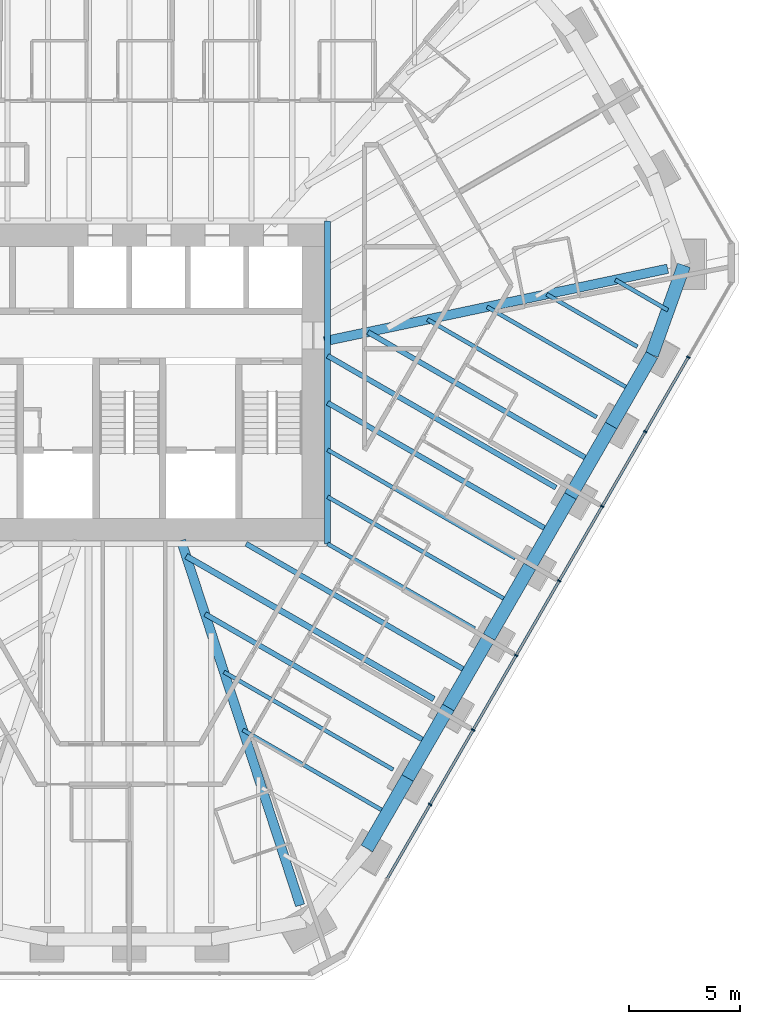
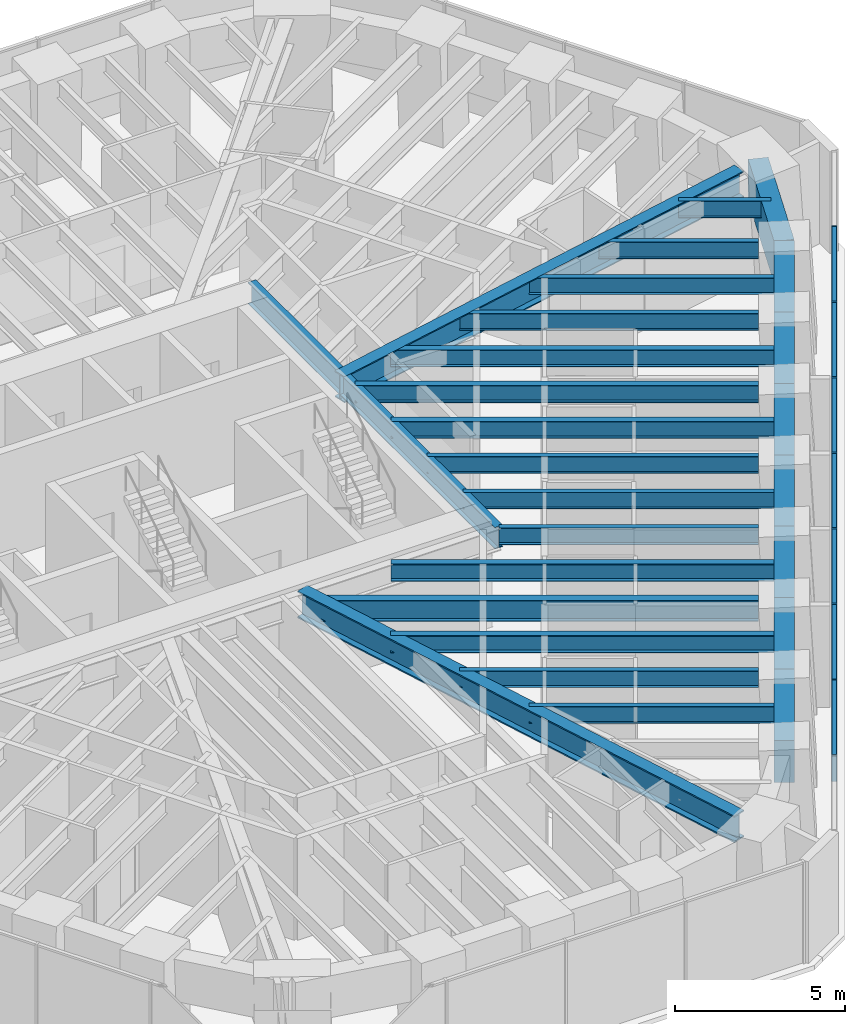
# One storey, part 5 of 17: 26 beams, 14 members, 1 element without a shape of its own.
"""IFC4 building model written with IfcOpenShell, lengths in metres."""

from ifc_helpers import new_model, si_unit, direction, frame, origin, origin_2d, place, context, subcontext, project, spatial, rectangle, i_section, extrude, material, material_profile, profile_set, type_object, element, aggregate, save


model = new_model("IFC4")

# Units and contexts
model_context = context("Model", 3, precision=1e-05, world=origin(), true_north=direction((0.0, 1.0)))
body_context = subcontext(model_context, "Body", "Model", "MODEL_VIEW")
ifc_project = project(units=[si_unit("LENGTHUNIT", "METRE"), si_unit("AREAUNIT", "SQUARE_METRE"), si_unit("VOLUMEUNIT", "CUBIC_METRE"), si_unit("PLANEANGLEUNIT", "RADIAN"), si_unit("MASSUNIT", "GRAM", prefix="KILO")], contexts=[model_context])

# Site, building, storey
site_placement = place(None, origin())
site = spatial("IfcSite", under=ifc_project, at=site_placement, CompositionType="ELEMENT")
building_placement = place(site_placement, origin())
building = spatial("IfcBuilding", under=site, at=building_placement, Name="Sandreach Pilgrim Tower", CompositionType="ELEMENT")
storey_placement = place(building_placement, frame((0.0, 0.0, 232.60009765625)))
storey = spatial("IfcBuildingStorey", under=building, at=storey_placement, Name="L58", CompositionType="ELEMENT", Elevation=232.60009765625)

# Curtain wall, members
ifc_material_1 = material(Name="Aluminium framed curtain wall", Category="aluminium")
curtain_wall_type = type_object("IfcCurtainWallType", Name="Upper hotel tower curtain wall", PredefinedType="NOTDEFINED", material=ifc_material_1)
curtain_wall_placement = place(storey_placement, origin())
curtain_wall = element("IfcCurtainWall", 1, at=curtain_wall_placement, inside=storey, type_object=curtain_wall_type, Name="CW-3 L58 SE", PredefinedType="NOTDEFINED")
ifc_material_2 = material(Name="Aluminium extrusion", Category="aluminium")
ifc_material_profile_1 = material_profile(ifc_material_2, rectangle(XDim=0.06494140625, YDim=0.159912109375, at=origin_2d()), Name="CW-3M 65X160")
ifc_profile_set_1 = profile_set([ifc_material_profile_1], Name="Aluminium extrusion")
member_type_1 = type_object("IfcMemberType", Name="CW-3 mullion", PredefinedType="MULLION", material=ifc_profile_set_1)
member_1_placement = place(storey_placement, frame((25.087890625, 1.13330078125, 0.0), z_axis=(0.0, 0.0, 1.0), x_axis=(-0.5, -0.866025403784, 0.0)))
member_1 = element("IfcMember", 2, at=member_1_placement, type_object=member_type_1, Name="CW-3 mullion 2", PredefinedType="MULLION", context=body_context, shape_type="SweptSolid", body=[
    extrude(rectangle(XDim=0.06494140625, YDim=0.159912109375, at=origin_2d()), origin(), (0.0, 0.0, 1.0), 3.639892578125),
])
member_2_placement = place(storey_placement, frame((23.15576171875, -2.21337890625, 0.0), z_axis=(0.0, 0.0, 1.0), x_axis=(-0.5, -0.866025403784, 0.0)))
member_2 = element("IfcMember", 3, at=member_2_placement, type_object=member_type_1, Name="CW-3 mullion 3", PredefinedType="MULLION", context=body_context, shape_type="SweptSolid", body=[
    extrude(rectangle(XDim=0.06494140625, YDim=0.159912109375, at=origin_2d()), origin(), (0.0, 0.0, 1.0), 3.639892578125),
])
member_3_placement = place(storey_placement, frame((21.223388671875, -5.56005859375, 0.0), z_axis=(0.0, 0.0, 1.0), x_axis=(-0.5, -0.866025403784, 0.0)))
member_3 = element("IfcMember", 4, at=member_3_placement, type_object=member_type_1, Name="CW-3 mullion 4", PredefinedType="MULLION", context=body_context, shape_type="SweptSolid", body=[
    extrude(rectangle(XDim=0.06494140625, YDim=0.159912109375, at=origin_2d()), origin(), (0.0, 0.0, 1.0), 3.639892578125),
])
member_4_placement = place(storey_placement, frame((19.291259765625, -8.90673828125, 0.0), z_axis=(0.0, 0.0, 1.0), x_axis=(-0.5, -0.866025403784, 0.0)))
member_4 = element("IfcMember", 5, at=member_4_placement, type_object=member_type_1, Name="CW-3 mullion 5", PredefinedType="MULLION", context=body_context, shape_type="SweptSolid", body=[
    extrude(rectangle(XDim=0.06494140625, YDim=0.159912109375, at=origin_2d()), origin(), (0.0, 0.0, 1.0), 3.639892578125),
])
member_5_placement = place(storey_placement, frame((17.359130859375, -12.25341796875, 0.0), z_axis=(0.0, 0.0, 1.0), x_axis=(-0.5, -0.866025403784, 0.0)))
member_5 = element("IfcMember", 6, at=member_5_placement, type_object=member_type_1, Name="CW-3 mullion 6", PredefinedType="MULLION", context=body_context, shape_type="SweptSolid", body=[
    extrude(rectangle(XDim=0.06494140625, YDim=0.159912109375, at=origin_2d()), origin(), (0.0, 0.0, 1.0), 3.639892578125),
])
member_6_placement = place(storey_placement, frame((15.4267578125, -15.60009765625, 0.0), z_axis=(0.0, 0.0, 1.0), x_axis=(-0.5, -0.866025403784, 0.0)))
member_6 = element("IfcMember", 7, at=member_6_placement, type_object=member_type_1, Name="CW-3 mullion 7", PredefinedType="MULLION", context=body_context, shape_type="SweptSolid", body=[
    extrude(rectangle(XDim=0.06494140625, YDim=0.159912109375, at=origin_2d()), origin(), (0.0, 0.0, 1.0), 3.639892578125),
])
member_7_placement = place(storey_placement, frame((13.49462890625, -18.94677734375, 0.0), z_axis=(0.0, 0.0, 1.0), x_axis=(-0.5, -0.866025403784, 0.0)))
member_7 = element("IfcMember", 8, at=member_7_placement, type_object=member_type_1, Name="CW-3 mullion 8", PredefinedType="MULLION", context=body_context, shape_type="SweptSolid", body=[
    extrude(rectangle(XDim=0.06494140625, YDim=0.159912109375, at=origin_2d()), origin(), (0.0, 0.0, 1.0), 3.639892578125),
])
ifc_material_3 = material(Name="Aluminium extrusion", Category="aluminium")
ifc_material_profile_2 = material_profile(ifc_material_3, rectangle(XDim=0.1201171875, YDim=0.070068359375, at=origin_2d()), Name="CW-3T 120X70")
ifc_profile_set_2 = profile_set([ifc_material_profile_2], Name="Aluminium extrusion")
member_type_2 = type_object("IfcMemberType", Name="CW-3 transom", PredefinedType="USERDEFINED", material=ifc_profile_set_2)
member_8_placement = place(storey_placement, frame((25.07177734375, 1.105224609375, 3.60498046875), z_axis=(-0.500022797313, -0.86601224135, 0.0), x_axis=(0.86601224135, -0.500022797313, 0.0)))
member_8 = element("IfcMember", 9, at=member_8_placement, type_object=member_type_2, Name="CW-3 head transom 2", ObjectType="TRANSOM", PredefinedType="USERDEFINED", context=body_context, shape_type="SweptSolid", body=[
    extrude(rectangle(XDim=0.1201171875, YDim=0.070068359375, at=origin_2d()), origin(), (0.0, 0.0, 1.0), 3.799560546875),
])
member_9_placement = place(storey_placement, frame((23.139404296875, -2.241455078125, 3.60498046875), z_axis=(-0.499974606132, -0.866040064445, 0.0), x_axis=(0.866040064445, -0.499974606132, 0.0)))
member_9 = element("IfcMember", 10, at=member_9_placement, type_object=member_type_2, Name="CW-3 head transom 3", ObjectType="TRANSOM", PredefinedType="USERDEFINED", context=body_context, shape_type="SweptSolid", body=[
    extrude(rectangle(XDim=0.1201171875, YDim=0.070068359375, at=origin_2d()), origin(), (0.0, 0.0, 1.0), 3.799560546875),
])
member_10_placement = place(storey_placement, frame((21.207275390625, -5.588134765625, 3.60498046875), z_axis=(-0.499974606132, -0.866040064445, 0.0), x_axis=(0.866040064445, -0.499974606132, 0.0)))
member_10 = element("IfcMember", 11, at=member_10_placement, type_object=member_type_2, Name="CW-3 head transom 4", ObjectType="TRANSOM", PredefinedType="USERDEFINED", context=body_context, shape_type="SweptSolid", body=[
    extrude(rectangle(XDim=0.1201171875, YDim=0.070068359375, at=origin_2d()), origin(), (0.0, 0.0, 1.0), 3.799560546875),
])
member_11_placement = place(storey_placement, frame((19.275146484375, -8.934814453125, 3.60498046875), z_axis=(-0.500022797313, -0.86601224135, 0.0), x_axis=(0.86601224135, -0.500022797313, 0.0)))
member_11 = element("IfcMember", 12, at=member_11_placement, type_object=member_type_2, Name="CW-3 head transom 5", ObjectType="TRANSOM", PredefinedType="USERDEFINED", context=body_context, shape_type="SweptSolid", body=[
    extrude(rectangle(XDim=0.1201171875, YDim=0.070068359375, at=origin_2d()), origin(), (0.0, 0.0, 1.0), 3.799560546875),
])
member_12_placement = place(storey_placement, frame((17.3427734375, -12.281494140625, 3.60498046875), z_axis=(-0.499974606132, -0.866040064445, 0.0), x_axis=(0.866040064445, -0.499974606132, 0.0)))
member_12 = element("IfcMember", 13, at=member_12_placement, type_object=member_type_2, Name="CW-3 head transom 6", ObjectType="TRANSOM", PredefinedType="USERDEFINED", context=body_context, shape_type="SweptSolid", body=[
    extrude(rectangle(XDim=0.1201171875, YDim=0.070068359375, at=origin_2d()), origin(), (0.0, 0.0, 1.0), 3.799560546875),
])
member_13_placement = place(storey_placement, frame((15.41064453125, -15.628173828125, 3.60498046875), z_axis=(-0.499974606132, -0.866040064445, 0.0), x_axis=(0.866040064445, -0.499974606132, 0.0)))
member_13 = element("IfcMember", 14, at=member_13_placement, type_object=member_type_2, Name="CW-3 head transom 7", ObjectType="TRANSOM", PredefinedType="USERDEFINED", context=body_context, shape_type="SweptSolid", body=[
    extrude(rectangle(XDim=0.1201171875, YDim=0.070068359375, at=origin_2d()), origin(), (0.0, 0.0, 1.0), 3.799560546875),
])
member_14_placement = place(storey_placement, frame((13.478515625, -18.974853515625, 3.60498046875), z_axis=(-0.500022797313, -0.86601224135, 0.0), x_axis=(0.86601224135, -0.500022797313, 0.0)))
member_14 = element("IfcMember", 15, at=member_14_placement, type_object=member_type_2, Name="CW-3 head transom 8", ObjectType="TRANSOM", PredefinedType="USERDEFINED", context=body_context, shape_type="SweptSolid", body=[
    extrude(rectangle(XDim=0.1201171875, YDim=0.070068359375, at=origin_2d()), origin(), (0.0, 0.0, 1.0), 3.799560546875),
])
aggregate(curtain_wall, [member_1, member_2, member_3, member_4, member_5, member_6, member_7, member_8, member_9, member_10, member_11, member_12, member_13, member_14])

# Beams
ifc_material_4 = material(Name="Steel ASTM A992 Grade 50", Category="steel")
ifc_material_profile_3 = material_profile(ifc_material_4, i_section(OverallWidth=0.2666015625, OverallDepth=0.77978515625, WebThickness=0.0166015625, FlangeThickness=0.030029296875, at=origin_2d()), Name="W30X148")
ifc_profile_set_3 = profile_set([ifc_material_profile_3], Name="Steel ASTM A992 Grade 50")
beam_type_1 = type_object("IfcBeamType", Name="Core edge beam W30X148", PredefinedType="BEAM", material=ifc_profile_set_3)
beam_1_placement = place(storey_placement, frame((8.893310546875, 7.243408203125, 3.25), z_axis=(0.0, -1.0, 0.0), x_axis=(1.0, 0.0, 0.0)))
element("IfcBeam", 16, at=beam_1_placement, inside=storey, type_object=beam_type_1, Name="BM L58 CEE", PredefinedType="BEAM", context=body_context, shape_type="SweptSolid", body=[
    extrude(i_section(OverallWidth=0.2666015625, OverallDepth=0.77978515625, WebThickness=0.0166015625, FlangeThickness=0.030029296875, at=origin_2d()), origin(), (0.0, 0.0, 1.0), 14.48681640625),
])
ifc_material_5 = material(Name="Steel ASTM A992 Grade 50", Category="steel")
ifc_material_profile_4 = material_profile(ifc_material_5, i_section(OverallWidth=0.421630859375, OverallDepth=0.937255859375, WebThickness=0.0224609375, FlangeThickness=0.039794921875, at=origin_2d()), Name="W36X282")
ifc_profile_set_4 = profile_set([ifc_material_profile_4], Name="Steel ASTM A992 Grade 50")
beam_type_2 = type_object("IfcBeamType", Name="Corner girder W36X282", PredefinedType="BEAM", material=ifc_profile_set_4)
beam_2_placement = place(storey_placement, frame((24.157958984375, 5.1005859375, 3.17138671875), z_axis=(-0.978429375126, -0.206581601045, 0.0), x_axis=(0.206581601045, -0.978429375126, 0.0)))
element("IfcBeam", 17, at=beam_2_placement, inside=storey, type_object=beam_type_2, Name="BM L58 CG13", PredefinedType="BEAM", context=body_context, shape_type="SweptSolid", body=[
    extrude(i_section(OverallWidth=0.421630859375, OverallDepth=0.937255859375, WebThickness=0.0224609375, FlangeThickness=0.039794921875, at=origin_2d()), origin(), (0.0, 0.0, 1.0), 15.74755859375),
])
ifc_material_6 = material(Name="Steel ASTM A992 Grade 50", Category="steel")
ifc_material_profile_5 = material_profile(ifc_material_6, i_section(OverallWidth=0.421630859375, OverallDepth=0.95751953125, WebThickness=0.02587890625, FlangeThickness=0.046875, at=origin_2d()), Name="W36X330")
ifc_profile_set_5 = profile_set([ifc_material_profile_5], Name="Steel ASTM A992 Grade 50")
beam_type_3 = type_object("IfcBeamType", Name="Corner girder W36X330", PredefinedType="BEAM", material=ifc_profile_set_5)
beam_3_placement = place(storey_placement, frame((7.661865234375, -23.4716796875, 3.1611328125), z_axis=(-0.310318643638, 0.950632599594, 0.0), x_axis=(-0.950632599594, -0.310318643638, 0.0)))
element("IfcBeam", 18, at=beam_3_placement, inside=storey, type_object=beam_type_3, Name="BM L58 CG22", PredefinedType="BEAM", context=body_context, shape_type="SweptSolid", body=[
    extrude(i_section(OverallWidth=0.421630859375, OverallDepth=0.95751953125, WebThickness=0.02587890625, FlangeThickness=0.046875, at=origin_2d()), origin(), (0.0, 0.0, 1.0), 17.2216796875),
])
ifc_material_7 = material(Name="Steel ASTM A992 Grade 50", Category="steel")
ifc_material_profile_6 = material_profile(ifc_material_7, i_section(OverallWidth=0.1787109375, OverallDepth=0.60205078125, WebThickness=0.010986328125, FlangeThickness=0.014892578125, at=origin_2d()), Name="W24X62")
ifc_profile_set_6 = profile_set([ifc_material_profile_6], Name="Steel ASTM A992 Grade 50")
beam_type_4 = type_object("IfcBeamType", Name="Floor beam W24X62", PredefinedType="BEAM", material=ifc_profile_set_6)
beam_4_placement = place(storey_placement, frame((22.799072265625, 1.604248046875, 3.3388671875), z_axis=(-0.866016039709, 0.500016218704, 0.0), x_axis=(-0.500016218704, -0.866016039709, 0.0)))
element("IfcBeam", 19, at=beam_4_placement, inside=storey, type_object=beam_type_4, Name="BM L58 F14", PredefinedType="BEAM", context=body_context, shape_type="SweptSolid", body=[
    extrude(i_section(OverallWidth=0.1787109375, OverallDepth=0.60205078125, WebThickness=0.010986328125, FlangeThickness=0.014892578125, at=origin_2d()), origin(), (0.0, 0.0, 1.0), 4.699951171875),
])
beam_5_placement = place(storey_placement, frame((20.971923828125, -1.56005859375, 3.3388671875), z_axis=(-0.866026096658, 0.499998799906, 0.0), x_axis=(-0.499998799906, -0.866026096658, 0.0)))
element("IfcBeam", 20, at=beam_5_placement, inside=storey, type_object=beam_type_4, Name="BM L58 F15", PredefinedType="BEAM", context=body_context, shape_type="SweptSolid", body=[
    extrude(i_section(OverallWidth=0.1787109375, OverallDepth=0.60205078125, WebThickness=0.010986328125, FlangeThickness=0.014892578125, at=origin_2d()), origin(), (0.0, 0.0, 1.0), 8.76904296875),
])
beam_6_placement = place(storey_placement, frame((17.318115234375, -7.888916015625, 3.3388671875), z_axis=(-0.866027610761, 0.499996177385, 0.0), x_axis=(-0.499996177385, -0.866027610761, 0.0)))
element("IfcBeam", 21, at=beam_6_placement, inside=storey, type_object=beam_type_4, Name="BM L58 F17", PredefinedType="BEAM", context=body_context, shape_type="SweptSolid", body=[
    extrude(i_section(OverallWidth=0.1787109375, OverallDepth=0.60205078125, WebThickness=0.010986328125, FlangeThickness=0.014892578125, at=origin_2d()), origin(), (0.0, 0.0, 1.0), 9.72802734375),
])
beam_7_placement = place(storey_placement, frame((15.4912109375, -11.053466796875, 3.3388671875), z_axis=(-0.866030330426, 0.49999146671, 0.0), x_axis=(-0.49999146671, -0.866030330426, 0.0)))
element("IfcBeam", 22, at=beam_7_placement, inside=storey, type_object=beam_type_4, Name="BM L58 F18", PredefinedType="BEAM", context=body_context, shape_type="SweptSolid", body=[
    extrude(i_section(OverallWidth=0.1787109375, OverallDepth=0.60205078125, WebThickness=0.010986328125, FlangeThickness=0.014892578125, at=origin_2d()), origin(), (0.0, 0.0, 1.0), 7.620361328125),
])
beam_8_placement = place(storey_placement, frame((11.837158203125, -17.38232421875, 3.3388671875), z_axis=(-0.866021001513, 0.500007624881, 0.0), x_axis=(-0.500007624881, -0.866021001513, 0.0)))
element("IfcBeam", 23, at=beam_8_placement, inside=storey, type_object=beam_type_4, Name="BM L58 F20", PredefinedType="BEAM", context=body_context, shape_type="SweptSolid", body=[
    extrude(i_section(OverallWidth=0.1787109375, OverallDepth=0.60205078125, WebThickness=0.010986328125, FlangeThickness=0.014892578125, at=origin_2d()), origin(), (0.0, 0.0, 1.0), 8.769287109375),
])
beam_9_placement = place(storey_placement, frame((24.170166015625, 3.242431640625, 3.3388671875), z_axis=(-0.866051307416, 0.49995513091, 0.0), x_axis=(-0.49995513091, -0.866051307416, 0.0)))
element("IfcBeam", 24, at=beam_9_placement, inside=storey, type_object=beam_type_4, Name="BM L58 FM13", PredefinedType="BEAM", context=body_context, shape_type="SweptSolid", body=[
    extrude(i_section(OverallWidth=0.1787109375, OverallDepth=0.60205078125, WebThickness=0.010986328125, FlangeThickness=0.014892578125, at=origin_2d()), origin(), (0.0, 0.0, 1.0), 2.724853515625),
])
beam_10_placement = place(storey_placement, frame((22.53515625, -0.35302734375, 3.3388671875), z_axis=(-0.866020455281, 0.500008570961, 0.0), x_axis=(-0.500008570961, -0.866020455281, 0.0)))
element("IfcBeam", 25, at=beam_10_placement, inside=storey, type_object=beam_type_4, Name="BM L58 FM14", PredefinedType="BEAM", context=body_context, shape_type="SweptSolid", body=[
    extrude(i_section(OverallWidth=0.1787109375, OverallDepth=0.60205078125, WebThickness=0.010986328125, FlangeThickness=0.014892578125, at=origin_2d()), origin(), (0.0, 0.0, 1.0), 7.484619140625),
])
beam_11_placement = place(storey_placement, frame((17.05419921875, -9.84619140625, 3.3388671875), z_axis=(-0.866026384819, 0.499998300794, 0.0), x_axis=(-0.499998300794, -0.866026384819, 0.0)))
element("IfcBeam", 26, at=beam_11_placement, inside=storey, type_object=beam_type_4, Name="BM L58 FM17", PredefinedType="BEAM", context=body_context, shape_type="SweptSolid", body=[
    extrude(i_section(OverallWidth=0.1787109375, OverallDepth=0.60205078125, WebThickness=0.010986328125, FlangeThickness=0.014892578125, at=origin_2d()), origin(), (0.0, 0.0, 1.0), 9.42333984375),
])
beam_12_placement = place(storey_placement, frame((11.5732421875, -19.33935546875, 3.3388671875), z_axis=(-0.866034579541, 0.499984106787, 0.0), x_axis=(-0.499984106787, -0.866034579541, 0.0)))
element("IfcBeam", 27, at=beam_12_placement, inside=storey, type_object=beam_type_4, Name="BM L58 FM20", PredefinedType="BEAM", context=body_context, shape_type="SweptSolid", body=[
    extrude(i_section(OverallWidth=0.1787109375, OverallDepth=0.60205078125, WebThickness=0.010986328125, FlangeThickness=0.014892578125, at=origin_2d()), origin(), (0.0, 0.0, 1.0), 7.484619140625),
])
ifc_material_8 = material(Name="Steel ASTM A992 Grade 50", Category="steel")
ifc_material_profile_7 = material_profile(ifc_material_8, i_section(OverallWidth=0.23046875, OverallDepth=0.6171875, WebThickness=0.01318359375, FlangeThickness=0.022216796875, at=origin_2d()), Name="W24X94")
ifc_profile_set_7 = profile_set([ifc_material_profile_7], Name="Steel ASTM A992 Grade 50")
beam_type_5 = type_object("IfcBeamType", Name="Floor beam W24X94", PredefinedType="BEAM", material=ifc_profile_set_7)
beam_13_placement = place(storey_placement, frame((19.14501953125, -4.724609375, 3.331298828125), z_axis=(-0.86602107386, 0.500007499575, 0.0), x_axis=(-0.500007499575, -0.86602107386, 0.0)))
element("IfcBeam", 28, at=beam_13_placement, inside=storey, type_object=beam_type_5, Name="BM L58 F16", PredefinedType="BEAM", context=body_context, shape_type="SweptSolid", body=[
    extrude(i_section(OverallWidth=0.23046875, OverallDepth=0.6171875, WebThickness=0.01318359375, FlangeThickness=0.022216796875, at=origin_2d()), origin(), (0.0, 0.0, 1.0), 11.837646484375),
])
beam_14_placement = place(storey_placement, frame((20.7080078125, -3.517333984375, 3.331298828125), z_axis=(-0.86602653318, 0.499998043825, 0.0), x_axis=(-0.499998043825, -0.86602653318, 0.0)))
element("IfcBeam", 29, at=beam_14_placement, inside=storey, type_object=beam_type_5, Name="BM L58 FM15", PredefinedType="BEAM", context=body_context, shape_type="SweptSolid", body=[
    extrude(i_section(OverallWidth=0.23046875, OverallDepth=0.6171875, WebThickness=0.01318359375, FlangeThickness=0.022216796875, at=origin_2d()), origin(), (0.0, 0.0, 1.0), 11.5537109375),
])
beam_15_placement = place(storey_placement, frame((18.881103515625, -6.681884765625, 3.331298828125), z_axis=(-0.866019899421, 0.500009533716, 0.0), x_axis=(-0.500009533716, -0.866019899421, 0.0)))
element("IfcBeam", 30, at=beam_15_placement, inside=storey, type_object=beam_type_5, Name="BM L58 FM16", PredefinedType="BEAM", context=body_context, shape_type="SweptSolid", body=[
    extrude(i_section(OverallWidth=0.23046875, OverallDepth=0.6171875, WebThickness=0.01318359375, FlangeThickness=0.022216796875, at=origin_2d()), origin(), (0.0, 0.0, 1.0), 11.532958984375),
])
beam_16_placement = place(storey_placement, frame((15.22705078125, -13.010498046875, 3.331298828125), z_axis=(-0.866028027487, 0.499995455586, 0.0), x_axis=(-0.499995455586, -0.866028027487, 0.0)))
element("IfcBeam", 31, at=beam_16_placement, inside=storey, type_object=beam_type_5, Name="BM L58 FM18", PredefinedType="BEAM", context=body_context, shape_type="SweptSolid", body=[
    extrude(i_section(OverallWidth=0.23046875, OverallDepth=0.6171875, WebThickness=0.01318359375, FlangeThickness=0.022216796875, at=origin_2d()), origin(), (0.0, 0.0, 1.0), 11.5341796875),
])
beam_17_placement = place(storey_placement, frame((13.400146484375, -16.175048828125, 3.331298828125), z_axis=(-0.86602653318, 0.499998043825, 0.0), x_axis=(-0.499998043825, -0.86602653318, 0.0)))
element("IfcBeam", 32, at=beam_17_placement, inside=storey, type_object=beam_type_5, Name="BM L58 FM19", PredefinedType="BEAM", context=body_context, shape_type="SweptSolid", body=[
    extrude(i_section(OverallWidth=0.23046875, OverallDepth=0.6171875, WebThickness=0.01318359375, FlangeThickness=0.022216796875, at=origin_2d()), origin(), (0.0, 0.0, 1.0), 11.5537109375),
])
ifc_material_9 = material(Name="Steel ASTM A992 Grade 50", Category="steel")
ifc_material_profile_8 = material_profile(ifc_material_9, i_section(OverallWidth=0.2666015625, OverallDepth=0.761962890625, WebThickness=0.014404296875, FlangeThickness=0.021484375, at=origin_2d()), Name="W30X116")
ifc_profile_set_8 = profile_set([ifc_material_profile_8], Name="Steel ASTM A992 Grade 50")
beam_type_6 = type_object("IfcBeamType", Name="Floor beam W30X116", PredefinedType="BEAM", material=ifc_profile_set_8)
beam_18_placement = place(storey_placement, frame((13.6640625, -14.2177734375, 3.2587890625), z_axis=(-0.866026298109, 0.499998450982, 0.0), x_axis=(-0.499998450982, -0.866026298109, 0.0)))
element("IfcBeam", 33, at=beam_18_placement, inside=storey, type_object=beam_type_6, Name="BM L58 F19", PredefinedType="BEAM", context=body_context, shape_type="SweptSolid", body=[
    extrude(i_section(OverallWidth=0.2666015625, OverallDepth=0.761962890625, WebThickness=0.014404296875, FlangeThickness=0.021484375, at=origin_2d()), origin(), (0.0, 0.0, 1.0), 12.83837890625),
])
ifc_material_10 = material(Name="Concrete 10000 psi", Category="concrete")
ifc_material_profile_9 = material_profile(ifc_material_10, rectangle(XDim=0.60009765625, YDim=1.5, at=origin_2d()), Name="RC600X1500")
ifc_profile_set_9 = profile_set([ifc_material_profile_9], Name="Concrete 10000 psi")
beam_type_7 = type_object("IfcBeamType", Name="Spandrel beam RC600X1500", PredefinedType="SPANDREL", material=ifc_profile_set_9)
beam_19_placement = place(storey_placement, frame((24.8916015625, 5.25537109375, 2.889892578125), z_axis=(-0.337417393802, -0.941355141464, 0.0), x_axis=(0.941355141464, -0.337417393802, 0.0)))
element("IfcBeam", 34, at=beam_19_placement, inside=storey, type_object=beam_type_7, Name="BM L58 SP13", PredefinedType="SPANDREL", context=body_context, shape_type="SweptSolid", body=[
    extrude(rectangle(XDim=0.60009765625, YDim=1.5, at=origin_2d()), origin(), (0.0, 0.0, 1.0), 4.27685546875),
])
beam_20_placement = place(storey_placement, frame((23.448486328125, 1.229248046875, 2.889892578125), z_axis=(-0.499998153873, -0.866026469644, 0.0), x_axis=(0.866026469644, -0.499998153873, 0.0)))
element("IfcBeam", 35, at=beam_20_placement, inside=storey, type_object=beam_type_7, Name="BM L58 SP14", PredefinedType="SPANDREL", context=body_context, shape_type="SweptSolid", body=[
    extrude(rectangle(XDim=0.60009765625, YDim=1.5, at=origin_2d()), origin(), (0.0, 0.0, 1.0), 3.65380859375),
])
for number, where, z_axis, x_axis, name in (
    (36, (21.62158203125, -1.93505859375, 2.889892578125), (-0.499969222351, -0.866043172539, 0.0), (0.866043172539, -0.499969222351, 0.0), "BM L58 SP15"),
    (37, (19.794677734375, -5.099609375, 2.889892578125), (-0.500048264891, -0.865997536244, 0.0), (0.865997536244, -0.500048264891, 0.0), "BM L58 SP16"),
    (38, (17.967529296875, -8.263916015625, 2.889892578125), (-0.499969222351, -0.866043172539, 0.0), (0.866043172539, -0.499969222351, 0.0), "BM L58 SP17"),
):
    element("IfcBeam", number, at=place(storey_placement, frame(where, z_axis=z_axis, x_axis=x_axis)), inside=storey, type_object=beam_type_7, Name=name, PredefinedType="SPANDREL", context=body_context, shape_type="SweptSolid", body=[
        extrude(rectangle(XDim=0.60009765625, YDim=1.5, at=origin_2d()), origin(), (0.0, 0.0, 1.0), 3.654052734375),
    ])
beam_21_placement = place(storey_placement, frame((16.140625, -11.428466796875, 2.889892578125), z_axis=(-0.499998153873, -0.866026469644, 0.0), x_axis=(0.866026469644, -0.499998153873, 0.0)))
element("IfcBeam", 39, at=beam_21_placement, inside=storey, type_object=beam_type_7, Name="BM L58 SP18", PredefinedType="SPANDREL", context=body_context, shape_type="SweptSolid", body=[
    extrude(rectangle(XDim=0.60009765625, YDim=1.5, at=origin_2d()), origin(), (0.0, 0.0, 1.0), 3.65380859375),
])
beam_22_placement = place(storey_placement, frame((14.313720703125, -14.5927734375, 2.889892578125), z_axis=(-0.500019332402, -0.866014241929, 0.0), x_axis=(0.866014241929, -0.500019332402, 0.0)))
element("IfcBeam", 40, at=beam_22_placement, inside=storey, type_object=beam_type_7, Name="BM L58 SP19", PredefinedType="SPANDREL", context=body_context, shape_type="SweptSolid", body=[
    extrude(rectangle(XDim=0.60009765625, YDim=1.5, at=origin_2d()), origin(), (0.0, 0.0, 1.0), 3.654052734375),
])
beam_23_placement = place(storey_placement, frame((12.486572265625, -17.75732421875, 2.889892578125), z_axis=(-0.499998153873, -0.866026469644, 0.0), x_axis=(0.866026469644, -0.499998153873, 0.0)))
element("IfcBeam", 41, at=beam_23_placement, inside=storey, type_object=beam_type_7, Name="BM L58 SP20", PredefinedType="SPANDREL", context=body_context, shape_type="SweptSolid", body=[
    extrude(rectangle(XDim=0.60009765625, YDim=1.5, at=origin_2d()), origin(), (0.0, 0.0, 1.0), 3.65380859375),
])

save(model, "model.ifc")
